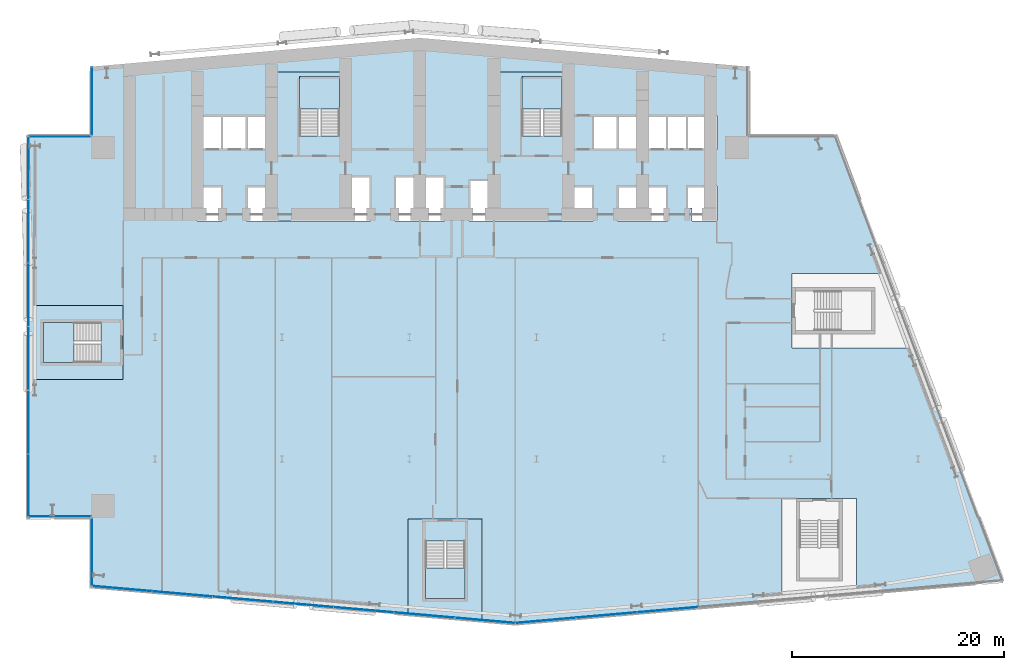
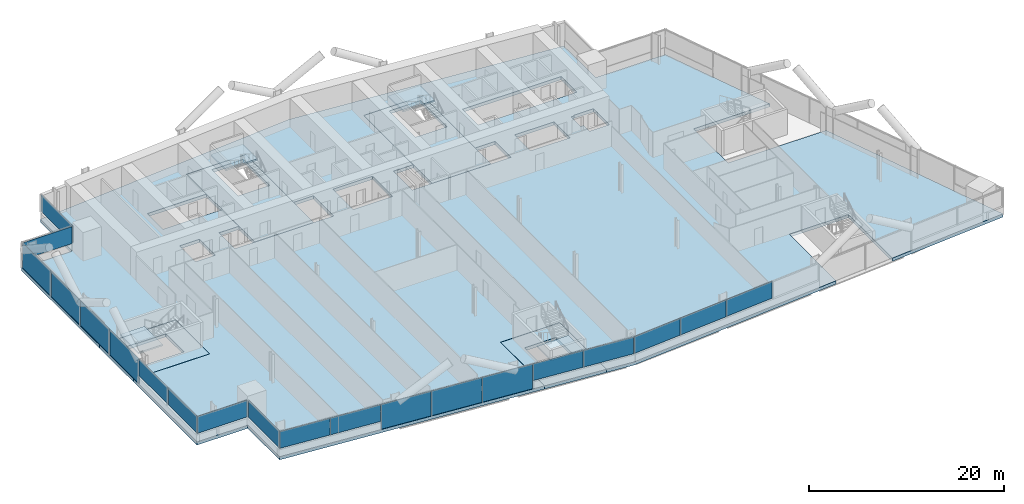
# One storey, part 11 of 24: 20 plates, 9 slabs, 11 elements without a shape of their own.
"""IFC4 building model written with IfcOpenShell, lengths in metres."""

from ifc_helpers import new_model, si_unit, direction, frame, origin, origin_2d, place, context, subcontext, project, spatial, polyline, rectangle, outline, extrude, material, layer, layer_set, type_object, element, aggregate, save


model = new_model("IFC4")

# Units and contexts
model_context = context("Model", 3, precision=1e-05, world=origin(), true_north=direction((0.0, 1.0)))
body_context = subcontext(model_context, "Body", "Model", "MODEL_VIEW")
ifc_project = project(units=[si_unit("LENGTHUNIT", "METRE"), si_unit("AREAUNIT", "SQUARE_METRE"), si_unit("VOLUMEUNIT", "CUBIC_METRE"), si_unit("PLANEANGLEUNIT", "RADIAN"), si_unit("MASSUNIT", "GRAM", prefix="KILO")], contexts=[model_context])

# Site, building, storey
site_placement = place(None, origin())
site = spatial("IfcSite", under=ifc_project, at=site_placement, CompositionType="ELEMENT")
building_placement = place(site_placement, origin())
building = spatial("IfcBuilding", under=site, at=building_placement, Name="Wharfspan Tower", CompositionType="ELEMENT")
storey_placement = place(building_placement, frame((0.0, 0.0, 66.699951)))
storey = spatial("IfcBuildingStorey", under=building, at=storey_placement, Name="L13", CompositionType="ELEMENT", Elevation=66.699951)

# Curtain wall, plates
ifc_material_1 = material(Name="Aluminium 6063-T6", Category="aluminium")
curtain_wall_type_1 = type_object("IfcCurtainWallType", Name="CURTAIN WALL FACETED FRONT", PredefinedType="NOTDEFINED", material=ifc_material_1)
curtain_wall_1_placement = place(storey_placement, origin())
curtain_wall_1 = element("IfcCurtainWall", 1, at=curtain_wall_1_placement, inside=storey, type_object=curtain_wall_type_1, Name="Curtain wall S1", PredefinedType="NOTDEFINED")
ifc_material_2 = material(Name="Glass clear low-iron double glazing", Category="glass")
ifc_layer_1 = layer(ifc_material_2, 0.040039)
ifc_layer_set_1 = layer_set([ifc_layer_1], Name="Glass clear low-iron double glazing")
plate_type_1 = type_object("IfcPlateType", Name="GLASS PANEL FACETED FRONT 40", PredefinedType="CURTAIN_PANEL", material=ifc_layer_set_1)
plate_1_placement = place(storey_placement, frame((8.877197, -0.716553, 1.0), z_axis=(0.0, 0.0, 1.0), x_axis=(0.996197, -0.087156, 0.0)))
plate_1 = element("IfcPlate", 2, at=plate_1_placement, type_object=plate_type_1, Name="Curtain wall S1 panel 1", PredefinedType="CURTAIN_PANEL", context=body_context, shape_type="SweptSolid", body=[
    extrude(rectangle(XDim=5.645996, YDim=0.040039, at=origin_2d()), origin(), (0.0, 0.0, 1.0), 2.120117),
])
plate_2_placement = place(storey_placement, frame((14.57666, -1.215088, 1.0), z_axis=(0.0, 0.0, 1.0), x_axis=(0.996197, -0.087156, 0.0)))
plate_2 = element("IfcPlate", 3, at=plate_2_placement, type_object=plate_type_1, Name="Curtain wall S1 panel 2", PredefinedType="CURTAIN_PANEL", context=body_context, shape_type="SweptSolid", body=[
    extrude(rectangle(XDim=5.676025, YDim=0.040039, at=origin_2d()), origin(), (0.0, 0.0, 1.0), 2.120117),
])
plate_3_placement = place(storey_placement, frame((37.433838, -3.214844, 1.0), z_axis=(0.0, 0.0, 1.0), x_axis=(0.996197, -0.087156, 0.0)))
plate_3 = element("IfcPlate", 4, at=plate_3_placement, type_object=plate_type_1, Name="Curtain wall S1 panel 6", PredefinedType="CURTAIN_PANEL", context=body_context, shape_type="SweptSolid", body=[
    extrude(rectangle(XDim=5.676025, YDim=0.040039, at=origin_2d()), origin(), (0.0, 0.0, 1.0), 2.120117),
])
plate_4_placement = place(storey_placement, frame((43.133057, -3.713379, 1.0), z_axis=(0.0, 0.0, 1.0), x_axis=(0.996197, -0.087156, 0.0)))
plate_4 = element("IfcPlate", 5, at=plate_4_placement, type_object=plate_type_1, Name="Curtain wall S1 panel 7", PredefinedType="CURTAIN_PANEL", context=body_context, shape_type="SweptSolid", body=[
    extrude(rectangle(XDim=5.645996, YDim=0.040039, at=origin_2d()), origin(), (0.0, 0.0, 1.0), 2.120117),
])

curtain_wall_2_placement = place(storey_placement, origin())
curtain_wall_2 = element("IfcCurtainWall", 6, at=curtain_wall_2_placement, inside=storey, type_object=curtain_wall_type_1, Name="Curtain wall S2", PredefinedType="NOTDEFINED")
plate_5_placement = place(storey_placement, frame((48.884766, -3.711914, 1.0), z_axis=(0.0, 0.0, 1.0), x_axis=(0.996197, 0.087156, 0.0)))
plate_5 = element("IfcPlate", 7, at=plate_5_placement, type_object=plate_type_1, Name="Curtain wall S2 panel 1", PredefinedType="CURTAIN_PANEL", context=body_context, shape_type="SweptSolid", body=[
    extrude(rectangle(XDim=5.681885, YDim=0.040039, at=origin_2d()), origin(), (0.0, 0.0, 1.0), 2.120117),
])
plate_6_placement = place(storey_placement, frame((54.619873, -3.210205, 1.0), z_axis=(0.0, 0.0, 1.0), x_axis=(0.996197, 0.087156, 0.0)))
plate_6 = element("IfcPlate", 8, at=plate_6_placement, type_object=plate_type_1, Name="Curtain wall S2 panel 2", PredefinedType="CURTAIN_PANEL", context=body_context, shape_type="SweptSolid", body=[
    extrude(rectangle(XDim=5.711914, YDim=0.040039, at=origin_2d()), origin(), (0.0, 0.0, 1.0), 2.120117),
])
plate_7_placement = place(storey_placement, frame((60.369873, -2.707031, 1.0), z_axis=(0.0, 0.0, 1.0), x_axis=(0.996197, 0.087156, 0.0)))
plate_7 = element("IfcPlate", 9, at=plate_7_placement, type_object=plate_type_1, Name="Curtain wall S2 panel 3", PredefinedType="CURTAIN_PANEL", context=body_context, shape_type="SweptSolid", body=[
    extrude(rectangle(XDim=5.711914, YDim=0.040039, at=origin_2d()), origin(), (0.0, 0.0, 1.0), 2.120117),
])
aggregate(curtain_wall_2, [plate_5, plate_6, plate_7])

# Curtain wall, plate
curtain_wall_type_2 = type_object("IfcCurtainWallType", Name="CURTAIN WALL PROW AND END", PredefinedType="NOTDEFINED", material=ifc_material_1)
curtain_wall_3_placement = place(storey_placement, origin())
curtain_wall_3 = element("IfcCurtainWall", 10, at=curtain_wall_3_placement, inside=storey, type_object=curtain_wall_type_2, Name="Curtain wall NRW-V", PredefinedType="NOTDEFINED")
ifc_layer_2 = layer(ifc_material_2, 0.040039)
ifc_layer_set_2 = layer_set([ifc_layer_2], Name="Glass clear low-iron double glazing")
plate_type_2 = type_object("IfcPlateType", Name="GLASS PANEL PROW AND END 40", PredefinedType="CURTAIN_PANEL", material=ifc_layer_set_2)
plate_8_placement = place(storey_placement, frame((6.080078, 45.262451, 1.0), z_axis=(0.0, 0.0, 1.0), x_axis=(0.0, -1.0, 0.0)))
plate_8 = element("IfcPlate", 11, at=plate_8_placement, type_object=plate_type_2, Name="Curtain wall NRW-V panel 1", PredefinedType="CURTAIN_PANEL", context=body_context, shape_type="SweptSolid", body=[
    extrude(rectangle(XDim=6.405029, YDim=0.040039, at=origin_2d()), origin(), (0.0, 0.0, 1.0), 2.120117),
])
aggregate(curtain_wall_3, [plate_8])

curtain_wall_4_placement = place(storey_placement, origin())
curtain_wall_4 = element("IfcCurtainWall", 12, at=curtain_wall_4_placement, inside=storey, type_object=curtain_wall_type_2, Name="Curtain wall NRW-H", PredefinedType="NOTDEFINED")
plate_9_placement = place(storey_placement, frame((3.0, 41.919922, 1.0), z_axis=(0.0, 0.0, 1.0), x_axis=(-1.0, 0.0, 0.0)))
plate_9 = element("IfcPlate", 13, at=plate_9_placement, type_object=plate_type_2, Name="Curtain wall NRW-H panel 1", PredefinedType="CURTAIN_PANEL", context=body_context, shape_type="SweptSolid", body=[
    extrude(rectangle(XDim=5.879883, YDim=0.040039, at=origin_2d()), origin(), (0.0, 0.0, 1.0), 2.120117),
])
aggregate(curtain_wall_4, [plate_9])

# Curtain wall, plates
curtain_wall_5_placement = place(storey_placement, origin())
curtain_wall_5 = element("IfcCurtainWall", 14, at=curtain_wall_5_placement, inside=storey, type_object=curtain_wall_type_2, Name="Curtain wall W", PredefinedType="NOTDEFINED")
plate_10_placement = place(storey_placement, frame((0.080078, 15.0, 1.0), z_axis=(0.0, 0.0, 1.0), x_axis=(0.0, -1.0, 0.0)))
plate_10 = element("IfcPlate", 15, at=plate_10_placement, type_object=plate_type_2, Name="Curtain wall W panel 5", PredefinedType="CURTAIN_PANEL", context=body_context, shape_type="SweptSolid", body=[
    extrude(rectangle(XDim=5.939941, YDim=0.040039, at=origin_2d()), origin(), (0.0, 0.0, 1.0), 2.120117),
])
plate_11_placement = place(storey_placement, frame((0.080078, 9.014893, 1.0), z_axis=(0.0, 0.0, 1.0), x_axis=(0.0, -1.0, 0.0)))
plate_11 = element("IfcPlate", 16, at=plate_11_placement, type_object=plate_type_2, Name="Curtain wall W panel 6", PredefinedType="CURTAIN_PANEL", context=body_context, shape_type="SweptSolid", body=[
    extrude(rectangle(XDim=5.909912, YDim=0.040039, at=origin_2d()), origin(), (0.0, 0.0, 1.0), 2.120117),
])

# Curtain wall, plate
curtain_wall_6_placement = place(storey_placement, origin())
curtain_wall_6 = element("IfcCurtainWall", 17, at=curtain_wall_6_placement, inside=storey, type_object=curtain_wall_type_2, Name="Curtain wall NFW-H", PredefinedType="NOTDEFINED")
plate_12_placement = place(storey_placement, frame((3.0, 6.080078, 1.0), z_axis=(0.0, 0.0, 1.0), x_axis=(1.0, 0.0, 0.0)))
plate_12 = element("IfcPlate", 18, at=plate_12_placement, type_object=plate_type_2, Name="Curtain wall NFW-H panel 1", PredefinedType="CURTAIN_PANEL", context=body_context, shape_type="SweptSolid", body=[
    extrude(rectangle(XDim=5.879883, YDim=0.040039, at=origin_2d()), origin(), (0.0, 0.0, 1.0), 2.120117),
])
aggregate(curtain_wall_6, [plate_12])

curtain_wall_7_placement = place(storey_placement, origin())
curtain_wall_7 = element("IfcCurtainWall", 19, at=curtain_wall_7_placement, inside=storey, type_object=curtain_wall_type_2, Name="Curtain wall NFW-V", PredefinedType="NOTDEFINED")
plate_13_placement = place(storey_placement, frame((6.080078, 2.737549, 1.0), z_axis=(0.0, 0.0, 1.0), x_axis=(0.0, -1.0, 0.0)))
plate_13 = element("IfcPlate", 20, at=plate_13_placement, type_object=plate_type_2, Name="Curtain wall NFW-V panel 1", PredefinedType="CURTAIN_PANEL", context=body_context, shape_type="SweptSolid", body=[
    extrude(rectangle(XDim=6.405029, YDim=0.040039, at=origin_2d()), origin(), (0.0, 0.0, 1.0), 2.120117),
])
aggregate(curtain_wall_7, [plate_13])

# Plate
ifc_material_3 = material(Name="Aluminium composite opaque insulated panel", Category="aluminium")
ifc_layer_3 = layer(ifc_material_3, 0.040039)
ifc_layer_set_3 = layer_set([ifc_layer_3], Name="Aluminium composite opaque insulated panel")
plate_type_3 = type_object("IfcPlateType", Name="INFILL PANEL FACETED FRONT OPAQUE 40", PredefinedType="SHEET", material=ifc_layer_set_3)
plate_14_placement = place(storey_placement, frame((20.291016, -1.715088, 0.0), z_axis=(0.0, 0.0, 1.0), x_axis=(0.996197, -0.087156, 0.0)))
plate_14 = element("IfcPlate", 21, at=plate_14_placement, type_object=plate_type_3, Name="Curtain wall S1 panel 3", PredefinedType="SHEET", context=body_context, shape_type="SweptSolid", body=[
    extrude(rectangle(XDim=5.676025, YDim=0.040039, at=origin_2d()), origin(), (0.0, 0.0, 1.0), 3.120117),
])

plate_15_placement = place(storey_placement, frame((26.005127, -2.214844, 0.0), z_axis=(0.0, 0.0, 1.0), x_axis=(0.996197, -0.087156, 0.0)))
plate_15 = element("IfcPlate", 22, at=plate_15_placement, type_object=plate_type_3, Name="Curtain wall S1 panel 4", PredefinedType="SHEET", context=body_context, shape_type="SweptSolid", body=[
    extrude(rectangle(XDim=5.676025, YDim=0.040039, at=origin_2d()), origin(), (0.0, 0.0, 1.0), 3.120117),
])

plate_16_placement = place(storey_placement, frame((31.719482, -2.714844, 0.0), z_axis=(0.0, 0.0, 1.0), x_axis=(0.996197, -0.087156, 0.0)))
plate_16 = element("IfcPlate", 23, at=plate_16_placement, type_object=plate_type_3, Name="Curtain wall S1 panel 5", PredefinedType="SHEET", context=body_context, shape_type="SweptSolid", body=[
    extrude(rectangle(XDim=5.676025, YDim=0.040039, at=origin_2d()), origin(), (0.0, 0.0, 1.0), 3.120117),
])

aggregate(curtain_wall_1, [plate_1, plate_2, plate_14, plate_15, plate_16, plate_3, plate_4])

ifc_layer_4 = layer(ifc_material_3, 0.040039)
ifc_layer_set_4 = layer_set([ifc_layer_4], Name="Aluminium composite opaque insulated panel")
plate_type_4 = type_object("IfcPlateType", Name="INFILL PANEL PROW AND END OPAQUE 40", PredefinedType="SHEET", material=ifc_layer_set_4)
plate_17_placement = place(storey_placement, frame((0.080078, 38.985107, 0.0), z_axis=(0.0, 0.0, 1.0), x_axis=(0.0, -1.0, 0.0)))
plate_17 = element("IfcPlate", 24, at=plate_17_placement, type_object=plate_type_4, Name="Curtain wall W panel 1", PredefinedType="SHEET", context=body_context, shape_type="SweptSolid", body=[
    extrude(rectangle(XDim=5.909912, YDim=0.040039, at=origin_2d()), origin(), (0.0, 0.0, 1.0), 3.120117),
])

plate_18_placement = place(storey_placement, frame((0.080078, 33.0, 0.0), z_axis=(0.0, 0.0, 1.0), x_axis=(0.0, -1.0, 0.0)))
plate_18 = element("IfcPlate", 25, at=plate_18_placement, type_object=plate_type_4, Name="Curtain wall W panel 2", PredefinedType="SHEET", context=body_context, shape_type="SweptSolid", body=[
    extrude(rectangle(XDim=5.939941, YDim=0.040039, at=origin_2d()), origin(), (0.0, 0.0, 1.0), 3.120117),
])

plate_19_placement = place(storey_placement, frame((0.080078, 27.0, 0.0), z_axis=(0.0, 0.0, 1.0), x_axis=(0.0, -1.0, 0.0)))
plate_19 = element("IfcPlate", 26, at=plate_19_placement, type_object=plate_type_4, Name="Curtain wall W panel 3", PredefinedType="SHEET", context=body_context, shape_type="SweptSolid", body=[
    extrude(rectangle(XDim=5.939941, YDim=0.040039, at=origin_2d()), origin(), (0.0, 0.0, 1.0), 3.120117),
])

plate_20_placement = place(storey_placement, frame((0.080078, 21.0, 0.0), z_axis=(0.0, 0.0, 1.0), x_axis=(0.0, -1.0, 0.0)))
plate_20 = element("IfcPlate", 27, at=plate_20_placement, type_object=plate_type_4, Name="Curtain wall W panel 4", PredefinedType="SHEET", context=body_context, shape_type="SweptSolid", body=[
    extrude(rectangle(XDim=5.939941, YDim=0.040039, at=origin_2d()), origin(), (0.0, 0.0, 1.0), 3.120117),
])

aggregate(curtain_wall_5, [plate_17, plate_18, plate_19, plate_20, plate_10, plate_11])

# Slabs
ifc_material_4 = material(Name="Concrete C40/50", Category="concrete")
ifc_layer_5 = layer(ifc_material_4, 0.399902)
ifc_layer_set_5 = layer_set([ifc_layer_5], Name="Concrete C40/50")
slab_type_1 = type_object("IfcSlabType", Name="Post-tensioned flat slab 400", PredefinedType="FLOOR", material=ifc_layer_set_5)
slab_1_placement = place(storey_placement, frame((0.0, 0.0, -0.400146)))
element("IfcSlab", 28, at=slab_1_placement, inside=storey, type_object=slab_type_1, Name="Floor slab L13", PredefinedType="FLOOR", context=body_context, shape_type="SweptSolid", body=[
    extrude(outline(polyline([(35.873291, -3.138428), (35.873291, 5.870605), (42.893311, 5.870605), (42.893311, -3.752686), (46.0, -4.024414), (71.182617, -1.821289), (71.182617, 7.802002), (78.202393, 7.802002), (78.202393, -1.207031), (92.0, 0.0), (83.753662, 21.98999), (72.11499, 21.98999), (72.11499, 29.01001), (81.121338, 29.01001), (76.25, 42.0), (68.0, 42.0), (68.0, 48.524902), (37.0, 51.237061), (6.0, 48.524902), (6.0, 42.0), (0.0, 42.0), (0.0, 26.01001), (9.01001, 26.01001), (9.01001, 18.98999), (0.0, 18.98999), (0.0, 6.0), (6.0, 6.0), (6.0, -0.524902), (35.873291, -3.138428)]), holes=[polyline([(62.290039, 37.159912), (62.656738, 37.159912), (62.656738, 37.26001), (65.01001, 37.26001), (65.01001, 33.98999), (62.656738, 33.98999), (62.656738, 35.189941), (62.290039, 35.189941), (62.290039, 37.159912)]), polyline([(65.01001, 43.909912), (65.01001, 40.689941), (53.323242, 40.689941), (53.323242, 43.909912), (65.01001, 43.909912)]), polyline([(55.656738, 33.98999), (55.656738, 37.26001), (60.343262, 37.26001), (60.343262, 33.98999), (55.656738, 33.98999)]), polyline([(43.98999, 37.860107), (43.98999, 48.01001), (51.01001, 48.01001), (51.01001, 37.26001), (53.343262, 37.26001), (53.343262, 33.98999), (41.656738, 33.98999), (41.656738, 37.860107), (43.98999, 37.860107)]), polyline([(34.656738, 33.98999), (34.656738, 38.159912), (39.343262, 38.159912), (39.343262, 33.98999), (34.656738, 33.98999)]), polyline([(15.98999, 40.689941), (15.98999, 43.909912), (20.656738, 43.909912), (20.676758, 43.909912), (22.98999, 43.909912), (22.98999, 48.01001), (30.01001, 48.01001), (30.01001, 38.159912), (32.343262, 38.159912), (32.343262, 33.98999), (20.656738, 33.98999), (20.656738, 37.26001), (22.98999, 37.26001), (22.98999, 40.689941), (20.676758, 40.689941), (20.656738, 40.689941), (15.98999, 40.689941)]), polyline([(18.343262, 37.26001), (18.343262, 33.98999), (15.98999, 33.98999), (15.98999, 37.26001), (18.343262, 37.26001)])]), origin(), (0.0, 0.0, 1.0), 0.400146),
])
slab_2_placement = place(storey_placement, frame((0.0, 0.0, -0.400146)))
element("IfcSlab", 29, at=slab_2_placement, inside=storey, type_object=slab_type_1, Name="Core floor slab L13 part 1", PredefinedType="FLOOR", context=body_context, shape_type="SweptSolid", body=[
    extrude(outline(polyline([(9.0, 20.324951), (9.0, 24.675049), (9.0, 26.0), (0.0, 26.0), (0.0, 19.0), (9.0, 19.0), (9.0, 20.324951)]), holes=[polyline([(6.9021, 20.625), (6.9021, 20.624756), (6.9021, 20.624512), (6.901855, 20.624512), (6.901855, 20.624268), (6.901855, 20.624023), (6.901611, 20.623779), (6.901611, 20.623779), (6.901367, 20.623535), (6.901367, 20.623535), (6.901123, 20.623291), (6.900879, 20.623291), (6.900879, 20.623291), (6.900635, 20.623047), (6.900391, 20.623047), (6.900146, 20.623047), (6.899902, 20.623047), (1.5, 20.623047), (1.499756, 20.623047), (1.499512, 20.623047), (1.499512, 20.623047), (1.499268, 20.623291), (1.499023, 20.623291), (1.498779, 20.623291), (1.498779, 20.623535), (1.498535, 20.623535), (1.498535, 20.623779), (1.498291, 20.623779), (1.498291, 20.624023), (1.498291, 20.624268), (1.498047, 20.624512), (1.498047, 20.624512), (1.498047, 20.624756), (1.498047, 20.625), (1.498047, 24.375), (1.498047, 24.375244), (1.498047, 24.375488), (1.498047, 24.375488), (1.498291, 24.375732), (1.498291, 24.375977), (1.498291, 24.376221), (1.498535, 24.376221), (1.498535, 24.376465), (1.498779, 24.376465), (1.498779, 24.376709), (1.499023, 24.376709), (1.499268, 24.376709), (1.499512, 24.376953), (1.499512, 24.376953), (1.499756, 24.376953), (1.5, 24.376953), (6.899902, 24.376953), (6.900146, 24.376953), (6.900391, 24.376953), (6.900635, 24.376953), (6.900879, 24.376709), (6.900879, 24.376709), (6.901123, 24.376709), (6.901367, 24.376465), (6.901367, 24.376465), (6.901611, 24.376221), (6.901611, 24.376221), (6.901855, 24.375977), (6.901855, 24.375732), (6.901855, 24.375488), (6.9021, 24.375488), (6.9021, 24.375244), (6.9021, 24.375), (6.9021, 20.625)])]), origin(), (0.0, 0.0, 1.0), 0.400146),
])
slab_3_placement = place(storey_placement, frame((0.0, 0.0, -0.400146)))
element("IfcSlab", 30, at=slab_3_placement, inside=storey, type_object=slab_type_1, Name="Core floor slab L13 part 2", PredefinedType="FLOOR", context=body_context, shape_type="SweptSolid", body=[
    extrude(outline(polyline([(20.664795, 34.0), (20.664795, 37.25), (20.664795, 37.250244), (20.664795, 37.250488), (20.664795, 37.250488), (20.664795, 37.250732), (20.664795, 37.250977), (20.665039, 37.251221), (20.665039, 37.251221), (20.665283, 37.251465), (20.665283, 37.251465), (20.665527, 37.251709), (20.665771, 37.251709), (20.666016, 37.251709), (20.666016, 37.251953), (20.66626, 37.251953), (20.666504, 37.251953), (20.666748, 37.251953), (23.0, 37.251953), (23.000244, 37.251953), (23.000488, 37.251953), (23.000488, 37.251953), (23.000732, 37.251709), (23.000977, 37.251709), (23.001221, 37.251709), (23.001221, 37.251465), (23.001465, 37.251465), (23.001465, 37.251221), (23.001709, 37.251221), (23.001709, 37.250977), (23.001709, 37.250732), (23.001953, 37.250488), (23.001953, 37.250488), (23.001953, 37.250244), (23.001953, 37.25), (23.001953, 34.0), (29.998047, 34.0), (29.998047, 38.149902), (29.998047, 38.150146), (29.998047, 38.150391), (29.998047, 38.150635), (29.998291, 38.150879), (29.998291, 38.150879), (29.998291, 38.151123), (29.998535, 38.151367), (29.998535, 38.151367), (29.998779, 38.151611), (29.998779, 38.151611), (29.999023, 38.151855), (29.999268, 38.151855), (29.999512, 38.151855), (29.999512, 38.1521), (29.999756, 38.1521), (30.0, 38.1521), (32.333252, 38.1521), (32.333496, 38.1521), (32.33374, 38.1521), (32.333984, 38.151855), (32.333984, 38.151855), (32.334229, 38.151855), (32.334473, 38.151611), (32.334717, 38.151611), (32.334717, 38.151367), (32.334961, 38.151367), (32.334961, 38.151123), (32.335205, 38.150879), (32.335205, 38.150879), (32.335205, 38.150635), (32.335205, 38.150391), (32.335205, 38.150146), (32.335205, 38.149902), (32.335205, 34.0), (32.341309, 34.0), (32.341309, 38.157959), (30.01001, 38.157959), (30.009766, 38.157959), (30.009521, 38.157959), (30.009521, 38.158203), (30.009277, 38.158203), (30.009033, 38.158203), (30.008789, 38.158203), (30.008789, 38.158447), (30.008545, 38.158691), (30.008545, 38.158691), (30.008301, 38.158936), (30.008301, 38.15918), (30.008301, 38.15918), (30.008057, 38.159424), (30.008057, 38.159668), (30.008057, 38.159912), (30.008057, 38.159912), (30.008057, 48.008057), (22.991943, 48.008057), (22.991943, 43.909912), (22.991943, 43.909912), (22.991943, 43.909668), (22.991943, 43.909424), (22.991699, 43.90918), (22.991699, 43.90918), (22.991699, 43.908936), (22.991455, 43.908691), (22.991455, 43.908691), (22.991211, 43.908447), (22.991211, 43.908203), (22.990967, 43.908203), (22.990723, 43.908203), (22.990479, 43.908203), (22.990479, 43.907959), (22.990234, 43.907959), (22.98999, 43.907959), (15.991943, 43.907959), (15.991943, 40.691895), (22.98999, 40.691895), (22.990234, 40.691895), (22.990479, 40.691895), (22.990479, 40.691895), (22.990723, 40.691895), (22.990967, 40.691895), (22.991211, 40.69165), (22.991211, 40.691406), (22.991455, 40.691406), (22.991455, 40.691406), (22.991699, 40.691162), (22.991699, 40.690918), (22.991699, 40.690918), (22.991943, 40.690674), (22.991943, 40.69043), (22.991943, 40.690186), (22.991943, 40.689941), (22.991943, 37.26001), (22.991943, 37.259766), (22.991943, 37.259521), (22.991943, 37.259521), (22.991699, 37.259277), (22.991699, 37.259033), (22.991699, 37.258789), (22.991455, 37.258789), (22.991455, 37.258545), (22.991211, 37.258545), (22.991211, 37.258301), (22.990967, 37.258301), (22.990723, 37.258301), (22.990479, 37.258057), (22.990479, 37.258057), (22.990234, 37.258057), (22.98999, 37.258057), (20.658691, 37.258057), (20.658691, 34.0), (20.664795, 34.0)]), holes=[polyline([(29.4021, 42.0), (29.4021, 41.999756), (29.4021, 41.999512), (29.401855, 41.999512), (29.401855, 41.999268), (29.401855, 41.999023), (29.401611, 41.998779), (29.401611, 41.998779), (29.401367, 41.998535), (29.401367, 41.998535), (29.401123, 41.998291), (29.400879, 41.998291), (29.400879, 41.998291), (29.400635, 41.998047), (29.400391, 41.998047), (29.400146, 41.998047), (29.399902, 41.998047), (25.649902, 41.998047), (25.649902, 41.998047), (25.649658, 41.998047), (25.649414, 41.998047), (25.64917, 41.998291), (25.64917, 41.998291), (25.648926, 41.998291), (25.648682, 41.998535), (25.648682, 41.998535), (25.648438, 41.998779), (25.648193, 41.998779), (25.648193, 41.999023), (25.648193, 41.999268), (25.648193, 41.999512), (25.647949, 41.999512), (25.647949, 41.999756), (25.647949, 42.0), (25.647949, 47.399902), (25.647949, 47.400146), (25.647949, 47.400391), (25.648193, 47.400635), (25.648193, 47.400879), (25.648193, 47.400879), (25.648193, 47.401123), (25.648438, 47.401367), (25.648682, 47.401367), (25.648682, 47.401611), (25.648926, 47.401611), (25.64917, 47.401855), (25.64917, 47.401855), (25.649414, 47.401855), (25.649658, 47.4021), (25.649902, 47.4021), (25.649902, 47.4021), (29.399902, 47.4021), (29.400146, 47.4021), (29.400391, 47.4021), (29.400635, 47.401855), (29.400879, 47.401855), (29.400879, 47.401855), (29.401123, 47.401611), (29.401367, 47.401611), (29.401367, 47.401367), (29.401611, 47.401367), (29.401611, 47.401123), (29.401855, 47.400879), (29.401855, 47.400879), (29.401855, 47.400635), (29.4021, 47.400391), (29.4021, 47.400146), (29.4021, 47.399902), (29.4021, 42.0)]), polyline([(16.0, 40.697998), (15.999756, 40.697998), (15.999512, 40.697998), (15.999512, 40.697998), (15.999268, 40.698242), (15.999023, 40.698242), (15.998779, 40.698242), (15.998779, 40.698486), (15.998535, 40.698486), (15.998535, 40.69873), (15.998291, 40.698975), (15.998291, 40.699219), (15.998291, 40.699219), (15.998047, 40.699463), (15.998047, 40.699707), (15.998047, 40.699707), (15.998047, 40.699951), (15.998047, 43.899902), (15.998047, 43.900146), (15.998047, 43.900391), (15.998047, 43.900635), (15.998291, 43.900879), (15.998291, 43.900879), (15.998291, 43.901123), (15.998535, 43.901367), (15.998535, 43.901367), (15.998779, 43.901611), (15.998779, 43.901611), (15.999023, 43.901855), (15.999268, 43.901855), (15.999512, 43.901855), (15.999512, 43.9021), (15.999756, 43.9021), (16.0, 43.9021), (20.666748, 43.9021), (20.666748, 43.9021), (23.0, 43.9021), (23.000244, 43.9021), (23.000488, 43.9021), (23.000488, 43.901855), (23.000732, 43.901855), (23.000977, 43.901855), (23.001221, 43.901611), (23.001221, 43.901611), (23.001465, 43.901367), (23.001465, 43.901367), (23.001709, 43.901123), (23.001709, 43.900879), (23.001709, 43.900879), (23.001953, 43.900635), (23.001953, 43.900391), (23.001953, 43.900146), (23.001953, 43.899902), (23.001953, 40.699951), (23.001953, 40.699707), (23.001953, 40.699707), (23.001953, 40.699463), (23.001709, 40.699219), (23.001709, 40.699219), (23.001709, 40.698975), (23.001465, 40.69873), (23.001465, 40.698486), (23.001221, 40.698486), (23.001221, 40.698242), (23.000977, 40.698242), (23.000732, 40.698242), (23.000488, 40.697998), (23.000488, 40.697998), (23.000244, 40.697998), (23.0, 40.697998), (20.666748, 40.697998), (20.666748, 40.697998), (16.0, 40.697998)])]), origin(), (0.0, 0.0, 1.0), 0.400146),
])
slab_4_placement = place(storey_placement, frame((0.0, 0.0, -0.400146)))
element("IfcSlab", 31, at=slab_4_placement, inside=storey, type_object=slab_type_1, Name="Core floor slab L13 part 3", PredefinedType="FLOOR", context=body_context, shape_type="SweptSolid", body=[
    extrude(outline(polyline([(41.55835, 5.860596), (37.208252, 5.860596), (35.883301, 5.860596), (35.883301, -3.139404), (42.883301, -3.751709), (42.883301, 5.860596), (41.55835, 5.860596)]), holes=[polyline([(37.506348, 3.760498), (37.506348, 3.760742), (37.506348, 3.760986), (37.506348, 3.76123), (37.506592, 3.761475), (37.506592, 3.761719), (37.506592, 3.761719), (37.506836, 3.761963), (37.506836, 3.761963), (37.50708, 3.762207), (37.50708, 3.762207), (37.507324, 3.762451), (37.507568, 3.762451), (37.507812, 3.762451), (37.507812, 3.762695), (37.508057, 3.762695), (37.508301, 3.762695), (41.258301, 3.762695), (41.258545, 3.762695), (41.258789, 3.762695), (41.258789, 3.762451), (41.259033, 3.762451), (41.259277, 3.762451), (41.259521, 3.762207), (41.259521, 3.762207), (41.259766, 3.761963), (41.26001, 3.761963), (41.26001, 3.761719), (41.26001, 3.761719), (41.260254, 3.761475), (41.260254, 3.76123), (41.260254, 3.760986), (41.260254, 3.760742), (41.260254, 3.760498), (41.260254, -1.639404), (41.260254, -1.639648), (41.260254, -1.639893), (41.260254, -1.639893), (41.260254, -1.640137), (41.26001, -1.640381), (41.26001, -1.640381), (41.26001, -1.640625), (41.259766, -1.640869), (41.259521, -1.640869), (41.259521, -1.641113), (41.259277, -1.641113), (41.259033, -1.641113), (41.258789, -1.641357), (41.258789, -1.641357), (41.258545, -1.641357), (41.258301, -1.641357), (37.508301, -1.641357), (37.508057, -1.641357), (37.507812, -1.641357), (37.507812, -1.641357), (37.507568, -1.641113), (37.507324, -1.641113), (37.50708, -1.641113), (37.50708, -1.640869), (37.506836, -1.640869), (37.506836, -1.640625), (37.506592, -1.640381), (37.506592, -1.640381), (37.506592, -1.640137), (37.506348, -1.639893), (37.506348, -1.639893), (37.506348, -1.639648), (37.506348, -1.639404), (37.506348, 3.760498)])]), origin(), (0.0, 0.0, 1.0), 0.400146),
])
slab_5_placement = place(storey_placement, frame((0.0, 0.0, -0.400146)))
element("IfcSlab", 32, at=slab_5_placement, inside=storey, type_object=slab_type_1, Name="Core floor slab L13 part 4", PredefinedType="FLOOR", context=body_context, shape_type="SweptSolid", body=[
    extrude(outline(polyline([(53.341309, 34.0), (53.341309, 37.258057), (51.01001, 37.258057), (51.009766, 37.258057), (51.009521, 37.258057), (51.009521, 37.258057), (51.009277, 37.258301), (51.009033, 37.258301), (51.008789, 37.258301), (51.008789, 37.258545), (51.008545, 37.258545), (51.008545, 37.258789), (51.008301, 37.258789), (51.008301, 37.259033), (51.008301, 37.259277), (51.008057, 37.259521), (51.008057, 37.259521), (51.008057, 37.259766), (51.008057, 37.26001), (51.008057, 48.008057), (43.991943, 48.008057), (43.991943, 37.860107), (43.991943, 37.859863), (43.991943, 37.859619), (43.991943, 37.859375), (43.991699, 37.859131), (43.991699, 37.859131), (43.991699, 37.858887), (43.991455, 37.858643), (43.991455, 37.858643), (43.991211, 37.858398), (43.991211, 37.858398), (43.990967, 37.858154), (43.990723, 37.858154), (43.990479, 37.858154), (43.990479, 37.85791), (43.990234, 37.85791), (43.98999, 37.85791), (41.658691, 37.85791), (41.658691, 34.0), (41.664795, 34.0), (41.664795, 37.850098), (41.664795, 37.850098), (41.664795, 37.850342), (41.664795, 37.850586), (41.664795, 37.85083), (41.664795, 37.85083), (41.665039, 37.851074), (41.665039, 37.851318), (41.665283, 37.851318), (41.665283, 37.851562), (41.665527, 37.851807), (41.665771, 37.851807), (41.666016, 37.851807), (41.666016, 37.851807), (41.66626, 37.852051), (41.666504, 37.852051), (41.666748, 37.852051), (44.0, 37.852051), (44.000244, 37.852051), (44.000488, 37.852051), (44.000488, 37.851807), (44.000732, 37.851807), (44.000977, 37.851807), (44.001221, 37.851807), (44.001221, 37.851562), (44.001465, 37.851318), (44.001465, 37.851318), (44.001709, 37.851074), (44.001709, 37.85083), (44.001709, 37.85083), (44.001953, 37.850586), (44.001953, 37.850342), (44.001953, 37.850098), (44.001953, 37.850098), (44.001953, 34.0), (50.998047, 34.0), (50.998047, 37.25), (50.998047, 37.250244), (50.998047, 37.250488), (50.998047, 37.250488), (50.998291, 37.250732), (50.998291, 37.250977), (50.998291, 37.251221), (50.998535, 37.251221), (50.998535, 37.251465), (50.998779, 37.251465), (50.998779, 37.251709), (50.999023, 37.251709), (50.999268, 37.251709), (50.999512, 37.251953), (50.999512, 37.251953), (50.999756, 37.251953), (51.0, 37.251953), (53.333252, 37.251953), (53.333496, 37.251953), (53.33374, 37.251953), (53.333984, 37.251953), (53.333984, 37.251709), (53.334229, 37.251709), (53.334473, 37.251709), (53.334717, 37.251465), (53.334717, 37.251465), (53.334961, 37.251221), (53.334961, 37.251221), (53.335205, 37.250977), (53.335205, 37.250732), (53.335205, 37.250488), (53.335205, 37.250488), (53.335205, 37.250244), (53.335205, 37.25), (53.335205, 34.0), (53.341309, 34.0)]), holes=[polyline([(46.649902, 41.998047), (46.649902, 41.998047), (46.649658, 41.998047), (46.649414, 41.998047), (46.64917, 41.998291), (46.64917, 41.998291), (46.648926, 41.998291), (46.648682, 41.998535), (46.648682, 41.998535), (46.648438, 41.998779), (46.648193, 41.998779), (46.648193, 41.999023), (46.648193, 41.999268), (46.648193, 41.999512), (46.647949, 41.999512), (46.647949, 41.999756), (46.647949, 42.0), (46.647949, 47.399902), (46.647949, 47.400146), (46.647949, 47.400391), (46.648193, 47.400635), (46.648193, 47.400879), (46.648193, 47.400879), (46.648193, 47.401123), (46.648438, 47.401367), (46.648682, 47.401367), (46.648682, 47.401611), (46.648926, 47.401611), (46.64917, 47.401855), (46.64917, 47.401855), (46.649414, 47.401855), (46.649658, 47.4021), (46.649902, 47.4021), (46.649902, 47.4021), (50.399902, 47.4021), (50.400146, 47.4021), (50.400391, 47.4021), (50.400635, 47.401855), (50.400879, 47.401855), (50.400879, 47.401855), (50.401123, 47.401611), (50.401367, 47.401611), (50.401367, 47.401367), (50.401611, 47.401367), (50.401611, 47.401123), (50.401855, 47.400879), (50.401855, 47.400879), (50.401855, 47.400635), (50.4021, 47.400391), (50.4021, 47.400146), (50.4021, 47.399902), (50.4021, 42.0), (50.4021, 41.999756), (50.4021, 41.999512), (50.401855, 41.999512), (50.401855, 41.999268), (50.401855, 41.999023), (50.401611, 41.998779), (50.401611, 41.998779), (50.401367, 41.998535), (50.401367, 41.998535), (50.401123, 41.998291), (50.400879, 41.998291), (50.400879, 41.998291), (50.400635, 41.998047), (50.400391, 41.998047), (50.400146, 41.998047), (50.399902, 41.998047), (46.649902, 41.998047)])]), origin(), (0.0, 0.0, 1.0), 0.400146),
])

# Stair, slab
stair_type = type_object("IfcStairType", Name="Half-turn stair 20 risers 180 mm", PredefinedType="HALF_TURN_STAIR", material=ifc_material_4)
stair_1_placement = place(storey_placement, origin())
stair_1 = element("IfcStair", 33, at=stair_1_placement, inside=storey, type_object=stair_type, Name="L13 stair ST1", PredefinedType="HALF_TURN_STAIR")
ifc_layer_6 = layer(ifc_material_4, 0.199951)
ifc_layer_set_6 = layer_set([ifc_layer_6], Name="Concrete C40/50")
slab_type_2 = type_object("IfcSlabType", Name="Stair landing 200", PredefinedType="LANDING", material=ifc_layer_set_6)
slab_6_placement = place(storey_placement, frame((0.0, 0.0, 1.599854)))
slab_6 = element("IfcSlab", 34, at=slab_6_placement, type_object=slab_type_2, Name="ST1 landing 1", PredefinedType="LANDING", context=body_context, shape_type="SweptSolid", body=[
    extrude(outline(polyline([(25.649902, 44.52002), (29.399902, 44.52002), (29.399902, 47.582764), (25.649902, 47.582764), (25.649902, 44.52002)])), origin(), (0.0, 0.0, 1.0), 0.200195),
])
aggregate(stair_1, [slab_6])

stair_2_placement = place(storey_placement, origin())
stair_2 = element("IfcStair", 35, at=stair_2_placement, inside=storey, type_object=stair_type, Name="L13 stair ST2", PredefinedType="HALF_TURN_STAIR")
slab_7_placement = place(storey_placement, frame((0.0, 0.0, 1.599854)))
slab_7 = element("IfcSlab", 36, at=slab_7_placement, type_object=slab_type_2, Name="ST2 landing 1", PredefinedType="LANDING", context=body_context, shape_type="SweptSolid", body=[
    extrude(outline(polyline([(46.649902, 44.52002), (50.399902, 44.52002), (50.399902, 47.582764), (46.649902, 47.582764), (46.649902, 44.52002)])), origin(), (0.0, 0.0, 1.0), 0.200195),
])
aggregate(stair_2, [slab_7])

stair_3_placement = place(storey_placement, origin())
stair_3 = element("IfcStair", 37, at=stair_3_placement, inside=storey, type_object=stair_type, Name="L13 stair ST3", PredefinedType="HALF_TURN_STAIR")
slab_8_placement = place(storey_placement, frame((0.0, 0.0, 1.599854)))
slab_8 = element("IfcSlab", 38, at=slab_8_placement, type_object=slab_type_2, Name="ST3 landing 1", PredefinedType="LANDING", context=body_context, shape_type="SweptSolid", body=[
    extrude(outline(polyline([(4.379883, 24.375), (1.5, 24.375), (1.5, 20.625), (4.379883, 20.625), (4.379883, 24.375)])), origin(), (0.0, 0.0, 1.0), 0.200195),
])
aggregate(stair_3, [slab_8])

stair_4_placement = place(storey_placement, origin())
stair_4 = element("IfcStair", 39, at=stair_4_placement, inside=storey, type_object=stair_type, Name="L13 stair ST4", PredefinedType="HALF_TURN_STAIR")
slab_9_placement = place(storey_placement, frame((0.0, 0.0, 1.599854)))
slab_9 = element("IfcSlab", 40, at=slab_9_placement, type_object=slab_type_2, Name="ST4 landing 1", PredefinedType="LANDING", context=body_context, shape_type="SweptSolid", body=[
    extrude(outline(polyline([(37.508301, 1.240723), (37.508301, -1.639404), (41.258301, -1.639404), (41.258301, 1.240723), (37.508301, 1.240723)])), origin(), (0.0, 0.0, 1.0), 0.200195),
])
aggregate(stair_4, [slab_9])

save(model, "model.ifc")
